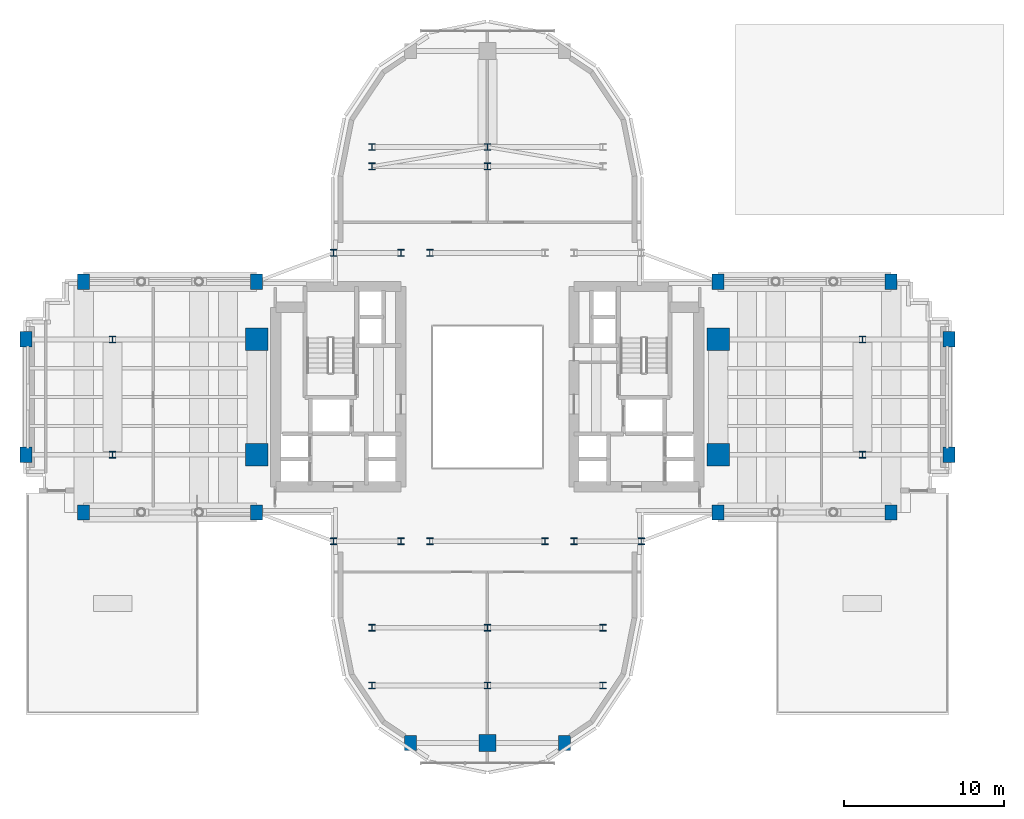
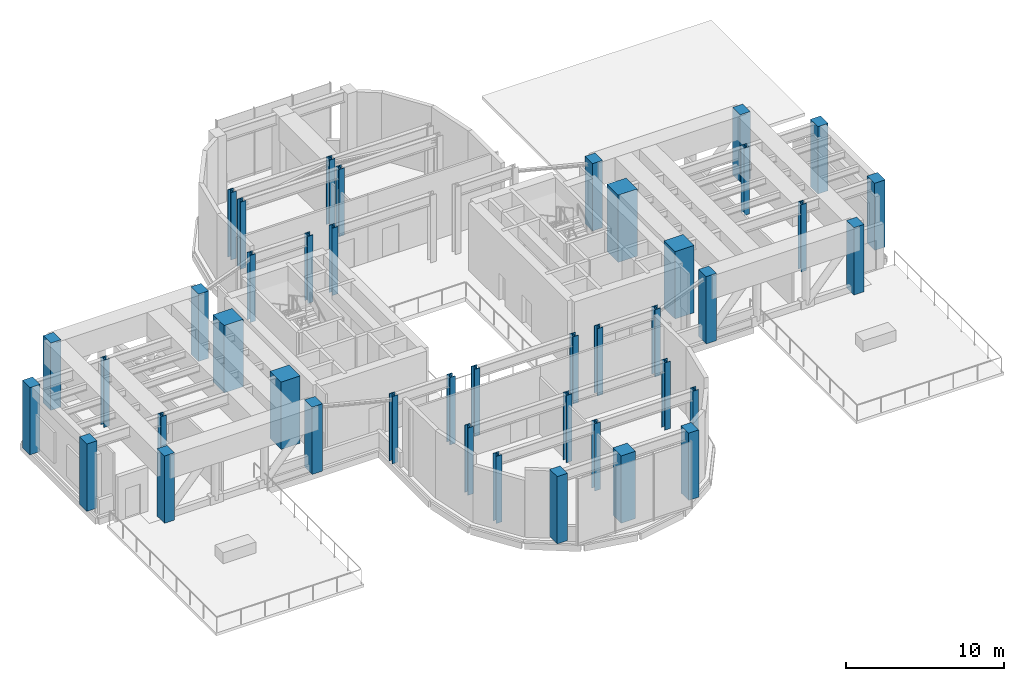
# One storey, part 1 of 16: 42 columns.
"""IFC4 building model written with IfcOpenShell, lengths in metres."""

from ifc_helpers import new_model, si_unit, direction, frame, origin, origin_2d, place, context, subcontext, project, spatial, rectangle, i_section, extrude, source, transform, mapped, material, material_profile, profile_set, type_object, element, save


model = new_model("IFC4")

# Units and contexts
model_context = context("Model", 3, precision=1e-05, world=origin(), true_north=direction((0.0, 1.0)))
body_context = subcontext(model_context, "Body", "Model", "MODEL_VIEW")
ifc_project = project(units=[si_unit("LENGTHUNIT", "METRE"), si_unit("AREAUNIT", "SQUARE_METRE"), si_unit("VOLUMEUNIT", "CUBIC_METRE"), si_unit("PLANEANGLEUNIT", "RADIAN"), si_unit("MASSUNIT", "GRAM", prefix="KILO")], contexts=[model_context])

# Site, building, storey
site_placement = place(None, origin())
site = spatial("IfcSite", under=ifc_project, at=site_placement, CompositionType="ELEMENT")
building_placement = place(site_placement, origin())
building = spatial("IfcBuilding", under=site, at=building_placement, Name="Keilestroom Media Tower", CompositionType="ELEMENT")
storey_placement = place(building_placement, frame((0.0, 0.0, 25.199951171875)))
storey = spatial("IfcBuildingStorey", under=building, at=storey_placement, Name="L05", CompositionType="ELEMENT", Elevation=25.199951171875)

# Columns
ifc_material_1 = material(Name="Precast concrete C40/50", Category="concrete")
ifc_material_profile_1 = material_profile(ifc_material_1, rectangle(XDim=0.75, YDim=0.949951171875, at=origin_2d()), Name="PC 950x750")
ifc_profile_set_1 = profile_set([ifc_material_profile_1], Name="Precast concrete C40/50")
column_type_1 = type_object("IfcColumnType", Name="Structural-Column-PC-950x750", PredefinedType="COLUMN", material=ifc_profile_set_1)
shared_shape_1 = source(origin(), body_context, "Body", "SweptSolid", [
    extrude(rectangle(XDim=0.75, YDim=0.949951171875, at=origin_2d()), origin(), (0.0, 0.0, 1.0), 5.199951171875),
])
for number, where, z_axis, x_axis, name in (
    (1, (-28.800048828125, -3.60009765625, 0.0), (0.0, 0.0, 1.0), (1.0, 0.0, 0.0), "L05 Column PC-1 (-28.8,-3.6)"),
    (2, (-28.800048828125, 3.60009765625, 0.0), (0.0, 0.0, 1.0), (1.0, 0.0, 0.0), "L05 Column PC-1 (-28.8,+3.6)"),
    (3, (-25.199951171875, -7.199951171875, 0.0), (0.0, 0.0, 1.0), (1.0, 0.0, 0.0), "L05 Column PC-1 (-25.2,-7.2)"),
    (4, (-25.199951171875, 7.199951171875, 0.0), (0.0, 0.0, 1.0), (1.0, 0.0, 0.0), "L05 Column PC-1 (-25.2,+7.2)"),
    (5, (-14.39990234375, -7.199951171875, 0.0), (0.0, 0.0, 1.0), (1.0, 0.0, 0.0), "L05 Column PC-1 (-14.4,-7.2)"),
    (6, (-14.39990234375, 7.199951171875, 0.0), (0.0, 0.0, 1.0), (1.0, 0.0, 0.0), "L05 Column PC-1 (-14.4,+7.2)"),
    (7, (-4.800048828125, -21.60009765625, 0.0), (0.0, 0.0, 1.0), (1.0, 0.0, 0.0), "L05 Column PC-1 (-4.8,-21.6)"),
    (8, (4.800048828125, -21.60009765625, 0.0), (0.0, 0.0, 1.0), (1.0, 0.0, 0.0), "L05 Column PC-1 (+4.8,-21.6)"),
    (9, (14.39990234375, -7.199951171875, 0.0), (0.0, 0.0, 1.0), (1.0, 0.0, 0.0), "L05 Column PC-1 (+14.4,-7.2)"),
    (10, (14.39990234375, 7.199951171875, 0.0), (0.0, 0.0, 1.0), (1.0, 0.0, 0.0), "L05 Column PC-1 (+14.4,+7.2)"),
    (11, (25.199951171875, -7.199951171875, 0.0), (0.0, 0.0, 1.0), (1.0, 0.0, 0.0), "L05 Column PC-1 (+25.2,-7.2)"),
    (12, (25.199951171875, 7.199951171875, 0.0), (0.0, 0.0, 1.0), (1.0, 0.0, 0.0), "L05 Column PC-1 (+25.2,+7.2)"),
    (13, (28.800048828125, -3.60009765625, 0.0), (0.0, 0.0, 1.0), (1.0, 0.0, 0.0), "L05 Column PC-1 (+28.8,-3.6)"),
    (14, (28.800048828125, 3.60009765625, 0.0), (0.0, 0.0, 1.0), (1.0, 0.0, 0.0), "L05 Column PC-1 (+28.8,+3.6)"),
):
    element("IfcColumn", number, at=place(storey_placement, frame(where, z_axis=z_axis, x_axis=x_axis)), inside=storey, type_object=column_type_1, Name=name, PredefinedType="COLUMN", context=body_context, shape_type="MappedRepresentation", body=[
        mapped(shared_shape_1, transform((0.0, 0.0, 0.0), x_axis=(1.0, 0.0, 0.0), y_axis=(0.0, 1.0, 0.0), z_axis=(0.0, 0.0, 1.0), scale=1.0)),
    ])
ifc_material_2 = material(Name="Steel S460", Category="steel")
ifc_material_profile_2 = material_profile(ifc_material_2, i_section(OverallWidth=0.406005859375, OverallDepth=0.416015625, WebThickness=0.02392578125, FlangeThickness=0.0390625, at=origin_2d()), Name="HD 400x382")
ifc_profile_set_2 = profile_set([ifc_material_profile_2], Name="Steel S460")
column_type_2 = type_object("IfcColumnType", Name="Structural-Column-HD-400x382", PredefinedType="COLUMN", material=ifc_profile_set_2)
shared_shape_2 = source(origin(), body_context, "Body", "SweptSolid", [
    extrude(i_section(OverallWidth=0.406005859375, OverallDepth=0.416015625, WebThickness=0.02392578125, FlangeThickness=0.0390625, at=origin_2d()), origin(), (0.0, 0.0, 1.0), 5.199951171875),
])
for number, where, z_axis, x_axis, name in (
    (15, (-23.39990234375, -3.60009765625, 0.0), (0.0, 0.0, 1.0), (1.0, 0.0, 0.0), "L05 Column SC-1 (-23.4,-3.6)"),
    (16, (-23.39990234375, 3.60009765625, 0.0), (0.0, 0.0, 1.0), (1.0, 0.0, 0.0), "L05 Column SC-1 (-23.4,+3.6)"),
    (17, (-9.60009765625, -9.0, 0.0), (0.0, 0.0, 1.0), (1.0, 0.0, 0.0), "L05 Column SC-1 (-9.6,-9.0)"),
    (18, (-9.60009765625, 9.0, 0.0), (0.0, 0.0, 1.0), (1.0, 0.0, 0.0), "L05 Column SC-1 (-9.6,+9.0)"),
    (19, (-7.199951171875, -18.0, 0.0), (0.0, 0.0, 1.0), (1.0, 0.0, 0.0), "L05 Column SC-1 (-7.2,-18.0)"),
    (20, (-7.199951171875, -14.39990234375, 0.0), (0.0, 0.0, 1.0), (1.0, 0.0, 0.0), "L05 Column SC-1 (-7.2,-14.4)"),
    (21, (-7.199951171875, 14.39990234375, 0.0), (0.0, 0.0, 1.0), (1.0, 0.0, 0.0), "L05 Column SC-1 (-7.2,+14.4)"),
    (22, (-7.199951171875, 15.60009765625, 0.0), (0.0, 0.0, 1.0), (1.0, 0.0, 0.0), "L05 Column SC-1 (-7.2,+15.6)"),
    (23, (-5.39990234375, -9.0, 0.0), (0.0, 0.0, 1.0), (1.0, 0.0, 0.0), "L05 Column SC-1 (-5.4,-9.0)"),
    (24, (-5.39990234375, 9.0, 0.0), (0.0, 0.0, 1.0), (1.0, 0.0, 0.0), "L05 Column SC-1 (-5.4,+9.0)"),
    (25, (-3.60009765625, -9.0, 0.0), (0.0, 0.0, 1.0), (1.0, 0.0, 0.0), "L05 Column SC-1 (-3.6,-9.0)"),
    (26, (-3.60009765625, 9.0, 0.0), (0.0, 0.0, 1.0), (1.0, 0.0, 0.0), "L05 Column SC-1 (-3.6,+9.0)"),
    (27, (0.0, -18.0, 0.0), (0.0, 0.0, 1.0), (1.0, 0.0, 0.0), "L05 Column SC-1 (+0.0,-18.0)"),
    (28, (0.0, -14.39990234375, 0.0), (0.0, 0.0, 1.0), (1.0, 0.0, 0.0), "L05 Column SC-1 (+0.0,-14.4)"),
    (29, (0.0, 14.39990234375, 0.0), (0.0, 0.0, 1.0), (1.0, 0.0, 0.0), "L05 Column SC-1 (+0.0,+14.4)"),
    (30, (0.0, 15.60009765625, 0.0), (0.0, 0.0, 1.0), (1.0, 0.0, 0.0), "L05 Column SC-1 (+0.0,+15.6)"),
    (31, (3.60009765625, -9.0, 0.0), (0.0, 0.0, 1.0), (1.0, 0.0, 0.0), "L05 Column SC-1 (+3.6,-9.0)"),
    (32, (5.39990234375, -9.0, 0.0), (0.0, 0.0, 1.0), (1.0, 0.0, 0.0), "L05 Column SC-1 (+5.4,-9.0)"),
    (33, (7.199951171875, -18.0, 0.0), (0.0, 0.0, 1.0), (1.0, 0.0, 0.0), "L05 Column SC-1 (+7.2,-18.0)"),
    (34, (7.199951171875, -14.39990234375, 0.0), (0.0, 0.0, 1.0), (1.0, 0.0, 0.0), "L05 Column SC-1 (+7.2,-14.4)"),
    (35, (9.60009765625, -9.0, 0.0), (0.0, 0.0, 1.0), (1.0, 0.0, 0.0), "L05 Column SC-1 (+9.6,-9.0)"),
    (36, (23.39990234375, -3.60009765625, 0.0), (0.0, 0.0, 1.0), (1.0, 0.0, 0.0), "L05 Column SC-1 (+23.4,-3.6)"),
    (37, (23.39990234375, 3.60009765625, 0.0), (0.0, 0.0, 1.0), (1.0, 0.0, 0.0), "L05 Column SC-1 (+23.4,+3.6)"),
):
    element("IfcColumn", number, at=place(storey_placement, frame(where, z_axis=z_axis, x_axis=x_axis)), inside=storey, type_object=column_type_2, Name=name, PredefinedType="COLUMN", context=body_context, shape_type="MappedRepresentation", body=[
        mapped(shared_shape_2, transform((0.0, 0.0, 0.0), x_axis=(1.0, 0.0, 0.0), y_axis=(0.0, 1.0, 0.0), z_axis=(0.0, 0.0, 1.0), scale=1.0)),
    ])
ifc_material_3 = material(Name="Concrete C70/85", Category="concrete")
ifc_material_profile_3 = material_profile(ifc_material_3, rectangle(XDim=1.39990234375, YDim=1.39990234375, at=origin_2d()), Name="RC 1400x1400")
ifc_profile_set_3 = profile_set([ifc_material_profile_3], Name="Concrete C70/85")
column_type_3 = type_object("IfcColumnType", Name="Structural-Column-RC-1400x1400", PredefinedType="COLUMN", material=ifc_profile_set_3)
shared_shape_3 = source(origin(), body_context, "Body", "SweptSolid", [
    extrude(rectangle(XDim=1.39990234375, YDim=1.39990234375, at=origin_2d()), origin(), (0.0, 0.0, 1.0), 5.199951171875),
])
for number, where, z_axis, x_axis, name in (
    (38, (-14.39990234375, -3.60009765625, 0.0), (0.0, 0.0, 1.0), (1.0, 0.0, 0.0), "L05 Column MC-1 (-14.4,-3.6)"),
    (39, (-14.39990234375, 3.60009765625, 0.0), (0.0, 0.0, 1.0), (1.0, 0.0, 0.0), "L05 Column MC-1 (-14.4,+3.6)"),
    (40, (14.39990234375, -3.60009765625, 0.0), (0.0, 0.0, 1.0), (1.0, 0.0, 0.0), "L05 Column MC-1 (+14.4,-3.6)"),
    (41, (14.39990234375, 3.60009765625, 0.0), (0.0, 0.0, 1.0), (1.0, 0.0, 0.0), "L05 Column MC-1 (+14.4,+3.6)"),
):
    element("IfcColumn", number, at=place(storey_placement, frame(where, z_axis=z_axis, x_axis=x_axis)), inside=storey, type_object=column_type_3, Name=name, PredefinedType="COLUMN", context=body_context, shape_type="MappedRepresentation", body=[
        mapped(shared_shape_3, transform((0.0, 0.0, 0.0), x_axis=(1.0, 0.0, 0.0), y_axis=(0.0, 1.0, 0.0), z_axis=(0.0, 0.0, 1.0), scale=1.0)),
    ])
ifc_material_4 = material(Name="Concrete C55/67", Category="concrete")
ifc_material_profile_4 = material_profile(ifc_material_4, rectangle(XDim=1.050048828125, YDim=1.050048828125, at=origin_2d()), Name="RC 1050x1050")
ifc_profile_set_4 = profile_set([ifc_material_profile_4], Name="Concrete C55/67")
column_type_4 = type_object("IfcColumnType", Name="Structural-Column-RC-1050x1050", PredefinedType="COLUMN", material=ifc_profile_set_4)
shared_shape_4 = source(origin(), body_context, "Body", "SweptSolid", [
    extrude(rectangle(XDim=1.050048828125, YDim=1.050048828125, at=origin_2d()), origin(), (0.0, 0.0, 1.0), 5.199951171875),
])
column_placement = place(storey_placement, frame((0.0, -21.60009765625, 0.0), z_axis=(0.0, 0.0, 1.0), x_axis=(1.0, 0.0, 0.0)))
element("IfcColumn", 42, at=column_placement, inside=storey, type_object=column_type_4, Name="L05 Column MC-3 (+0.0,-21.6)", PredefinedType="COLUMN", context=body_context, shape_type="MappedRepresentation", body=[
    mapped(shared_shape_4, transform((0.0, 0.0, 0.0), x_axis=(1.0, 0.0, 0.0), y_axis=(0.0, 1.0, 0.0), z_axis=(0.0, 0.0, 1.0), scale=1.0)),
])

save(model, "model.ifc")
